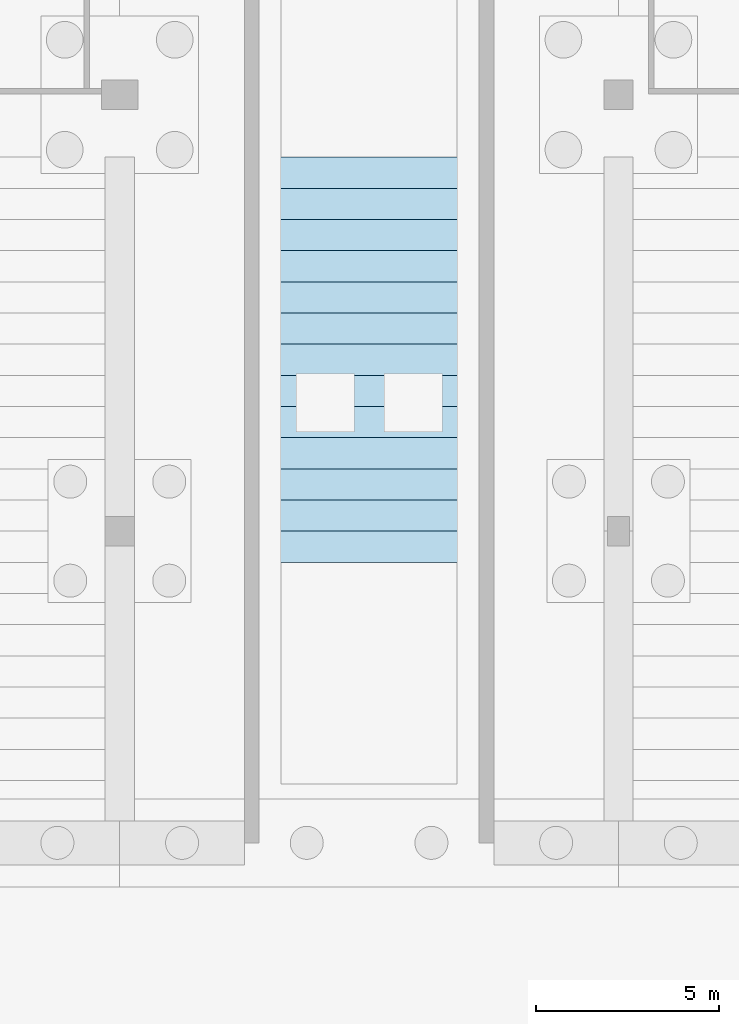
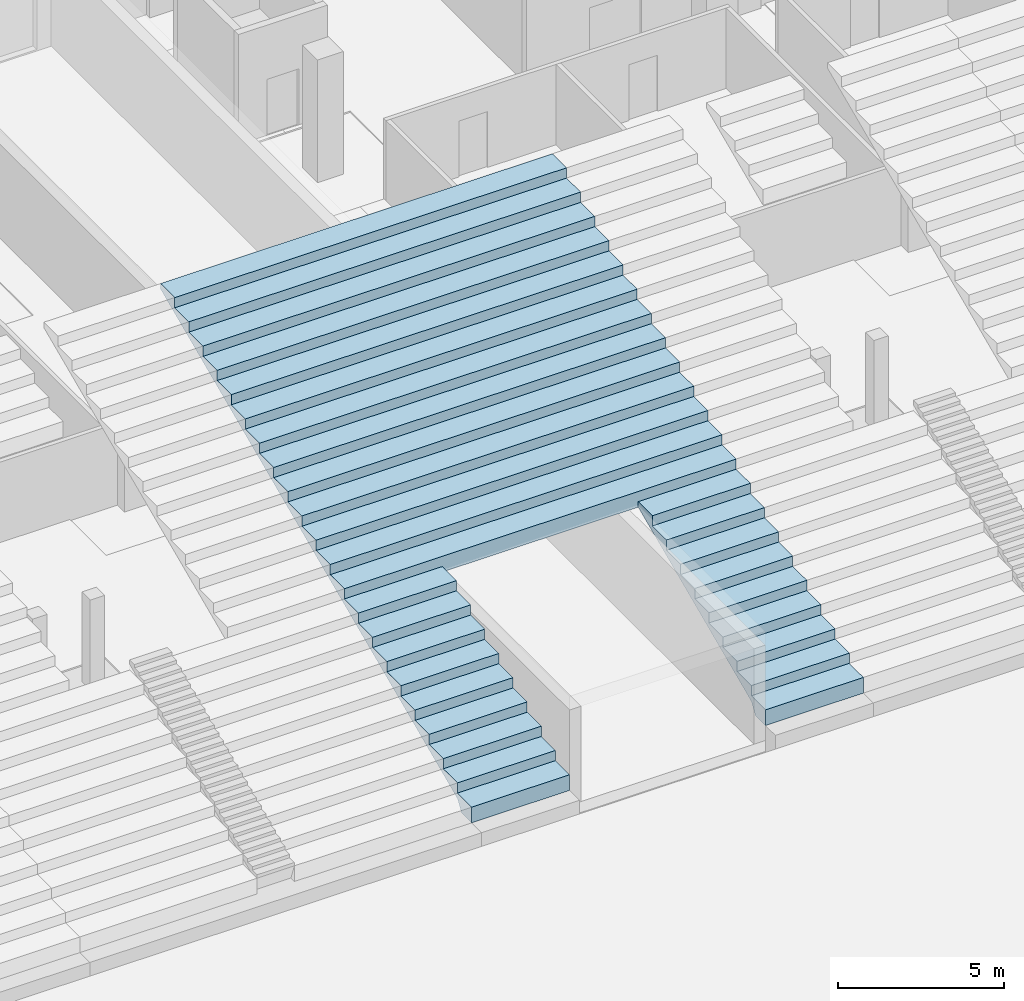
# One storey, part 56 of 115: 1 slab.
"""IFC4 building model written with IfcOpenShell, lengths in metres."""

from ifc_helpers import new_model, si_unit, direction, frame, origin, place, context, subcontext, project, spatial, faceted_brep, material, layer, layer_set, type_object, element, save


model = new_model("IFC4")

# Units and contexts
model_context = context("Model", 3, precision=1e-05, world=origin(), true_north=direction((0.0, 1.0)))
body_context = subcontext(model_context, "Body", "Model", "MODEL_VIEW")
ifc_project = project(units=[si_unit("LENGTHUNIT", "METRE"), si_unit("AREAUNIT", "SQUARE_METRE"), si_unit("VOLUMEUNIT", "CUBIC_METRE"), si_unit("PLANEANGLEUNIT", "RADIAN"), si_unit("MASSUNIT", "GRAM", prefix="KILO")], contexts=[model_context])

# Site, building, storey
site_placement = place(None, origin())
site = spatial("IfcSite", under=ifc_project, at=site_placement, CompositionType="ELEMENT")
building_placement = place(site_placement, origin())
building = spatial("IfcBuilding", under=site, at=building_placement, Name="Ogive Plaza Stadium", CompositionType="ELEMENT")
storey_placement = place(building_placement, frame((0.0, 0.0, -4.5)))
storey = spatial("IfcBuildingStorey", under=building, at=storey_placement, Name="B1", CompositionType="ELEMENT", Elevation=-4.5)

# Slab
ifc_material = material(Name="Concrete C45/55 precast", Category="concrete")
ifc_layer = layer(ifc_material, 0.574951171875)
ifc_layer_set = layer_set([ifc_layer], Name="Concrete C45/55 precast")
slab_type = type_object("IfcSlabType", Name="Seating tier LT 575", PredefinedType="USERDEFINED", material=ifc_layer_set)
slab_placement = place(storey_placement, origin())
element("IfcSlab", 1, at=slab_placement, inside=storey, type_object=slab_type, Name="Stand LT B34", ObjectType="SEATING TIER", PredefinedType="USERDEFINED", context=body_context, shape_type="Brep", body=[
    faceted_brep([(-3.39990234375, 60.0, 1.125), (-3.39990234375, 60.60009765625, 1.125), (-6.800048828125, 60.60009765625, 1.125), (-6.800048828125, 60.0, 1.125), (6.800048828125, 60.0, 1.125), (6.800048828125, 60.60009765625, 1.125), (3.39990234375, 60.60009765625, 1.125), (3.39990234375, 60.0, 1.125), (-3.39990234375, 60.85009765625, 1.125), (-6.800048828125, 60.85009765625, 1.125), (6.800048828125, 60.85009765625, 1.125), (3.39990234375, 60.85009765625, 1.125), (-3.39990234375, 60.60009765625, 0.550048828125), (-6.800048828125, 60.0, 0.550048828125), (-6.800048828125, 60.60009765625, 0.550048828125), (-3.39990234375, 60.0, 0.550048828125), (6.800048828125, 60.60009765625, 0.550048828125), (3.39990234375, 60.0, 0.550048828125), (3.39990234375, 60.60009765625, 0.550048828125), (6.800048828125, 60.0, 0.550048828125), (-6.800048828125, 60.85009765625, 0.925048828125), (-6.800048828125, 60.85009765625, 1.5), (-6.800048828125, 61.699951171875, 1.5), (-6.800048828125, 61.699951171875, 1.300048828125), (-6.800048828125, 61.699951171875, 1.875), (-6.800048828125, 62.550048828125, 1.875), (-6.800048828125, 62.550048828125, 1.675048828125), (-6.800048828125, 62.550048828125, 2.25), (-6.800048828125, 63.39990234375, 2.25), (-6.800048828125, 63.39990234375, 2.050048828125), (-6.800048828125, 63.39990234375, 2.625), (-6.800048828125, 64.25, 2.625), (-6.800048828125, 64.25, 2.425048828125), (-6.800048828125, 64.25, 3.0), (-6.800048828125, 65.10009765625, 3.0), (-6.800048828125, 65.10009765625, 2.800048828125), (-6.800048828125, 65.10009765625, 3.375), (-6.800048828125, 65.949951171875, 3.375), (-6.800048828125, 65.949951171875, 3.175048828125), (-6.800048828125, 65.949951171875, 3.75), (-6.800048828125, 66.800048828125, 3.75), (-6.800048828125, 66.800048828125, 3.550048828125), (-6.800048828125, 66.800048828125, 4.125), (-6.800048828125, 67.64990234375, 4.125), (-6.800048828125, 67.64990234375, 3.925048828125), (-6.800048828125, 67.64990234375, 4.5), (-6.800048828125, 68.5, 4.5), (-6.800048828125, 68.5, 4.300048828125), (-6.800048828125, 68.5, 4.875), (-6.800048828125, 69.35009765625, 4.875), (-6.800048828125, 69.35009765625, 4.675048828125), (-6.800048828125, 69.35009765625, 5.25), (-6.800048828125, 70.199951171875, 5.25), (-6.800048828125, 70.199951171875, 5.050048828125), (-6.800048828125, 70.199951171875, 5.625), (-6.800048828125, 71.050048828125, 5.625), (-6.800048828125, 71.050048828125, 5.425048828125), (-6.800048828125, 71.050048828125, 6.0), (-6.800048828125, 71.89990234375, 6.0), (-6.800048828125, 71.89990234375, 5.800048828125), (-6.800048828125, 71.89990234375, 6.375), (-6.800048828125, 72.75, 6.375), (-6.800048828125, 72.75, 6.175048828125), (-6.800048828125, 72.75, 6.75), (-6.800048828125, 73.60009765625, 6.75), (-6.800048828125, 73.60009765625, 6.550048828125), (-6.800048828125, 73.60009765625, 7.125), (-6.800048828125, 74.449951171875, 7.125), (-6.800048828125, 74.449951171875, 6.925048828125), (-6.800048828125, 74.449951171875, 7.5), (-6.800048828125, 75.300048828125, 7.5), (-6.800048828125, 75.300048828125, 7.300048828125), (-6.800048828125, 75.300048828125, 7.875), (-6.800048828125, 76.14990234375, 7.875), (-6.800048828125, 76.14990234375, 7.675048828125), (-6.800048828125, 76.14990234375, 8.25), (-6.800048828125, 77.0, 8.25), (-6.800048828125, 77.0, 8.050048828125), (-6.800048828125, 77.0, 8.625), (-6.800048828125, 77.85009765625, 8.625), (-6.800048828125, 77.85009765625, 8.425048828125), (-6.800048828125, 77.85009765625, 9.0), (-6.800048828125, 78.699951171875, 9.0), (-6.800048828125, 78.699951171875, 8.800048828125), (-3.39990234375, 60.85009765625, 0.925048828125), (-3.39990234375, 61.699951171875, 1.5), (-3.39990234375, 60.85009765625, 1.5), (-3.39990234375, 61.699951171875, 1.300048828125), (-3.39990234375, 62.550048828125, 1.875), (-3.39990234375, 61.699951171875, 1.875), (-3.39990234375, 62.550048828125, 1.675048828125), (-3.39990234375, 63.39990234375, 2.25), (-3.39990234375, 62.550048828125, 2.25), (-3.39990234375, 63.39990234375, 2.050048828125), (-3.39990234375, 64.25, 2.625), (-3.39990234375, 63.39990234375, 2.625), (-3.39990234375, 64.25, 2.425048828125), (-3.39990234375, 65.10009765625, 3.0), (-3.39990234375, 64.25, 3.0), (-3.39990234375, 65.10009765625, 2.800048828125), (-3.39990234375, 65.949951171875, 3.375), (-3.39990234375, 65.10009765625, 3.375), (-3.39990234375, 65.949951171875, 3.175048828125), (-3.39990234375, 66.800048828125, 3.75), (-3.39990234375, 65.949951171875, 3.75), (-3.39990234375, 66.800048828125, 3.550048828125), (-3.39990234375, 67.64990234375, 4.125), (-3.39990234375, 66.800048828125, 4.125), (-3.39990234375, 67.64990234375, 3.925048828125), (3.39990234375, 60.85009765625, 0.925048828125), (3.39990234375, 60.85009765625, 1.5), (3.39990234375, 61.699951171875, 1.5), (3.39990234375, 61.699951171875, 1.300048828125), (3.39990234375, 61.699951171875, 1.875), (3.39990234375, 62.550048828125, 1.875), (3.39990234375, 62.550048828125, 1.675048828125), (3.39990234375, 62.550048828125, 2.25), (3.39990234375, 63.39990234375, 2.25), (3.39990234375, 63.39990234375, 2.050048828125), (3.39990234375, 63.39990234375, 2.625), (3.39990234375, 64.25, 2.625), (3.39990234375, 64.25, 2.425048828125), (3.39990234375, 64.25, 3.0), (3.39990234375, 65.10009765625, 3.0), (3.39990234375, 65.10009765625, 2.800048828125), (3.39990234375, 65.10009765625, 3.375), (3.39990234375, 65.949951171875, 3.375), (3.39990234375, 65.949951171875, 3.175048828125), (3.39990234375, 65.949951171875, 3.75), (3.39990234375, 66.800048828125, 3.75), (3.39990234375, 66.800048828125, 3.550048828125), (3.39990234375, 66.800048828125, 4.125), (3.39990234375, 67.64990234375, 4.125), (3.39990234375, 67.64990234375, 3.925048828125), (6.800048828125, 60.85009765625, 0.925048828125), (6.800048828125, 61.699951171875, 1.5), (6.800048828125, 60.85009765625, 1.5), (6.800048828125, 61.699951171875, 1.300048828125), (6.800048828125, 62.550048828125, 1.875), (6.800048828125, 61.699951171875, 1.875), (6.800048828125, 62.550048828125, 1.675048828125), (6.800048828125, 63.39990234375, 2.25), (6.800048828125, 62.550048828125, 2.25), (6.800048828125, 63.39990234375, 2.050048828125), (6.800048828125, 64.25, 2.625), (6.800048828125, 63.39990234375, 2.625), (6.800048828125, 64.25, 2.425048828125), (6.800048828125, 65.10009765625, 3.0), (6.800048828125, 64.25, 3.0), (6.800048828125, 65.10009765625, 2.800048828125), (6.800048828125, 65.949951171875, 3.375), (6.800048828125, 65.10009765625, 3.375), (6.800048828125, 65.949951171875, 3.175048828125), (6.800048828125, 66.800048828125, 3.75), (6.800048828125, 65.949951171875, 3.75), (6.800048828125, 66.800048828125, 3.550048828125), (6.800048828125, 67.64990234375, 4.125), (6.800048828125, 66.800048828125, 4.125), (6.800048828125, 67.64990234375, 3.925048828125), (6.800048828125, 68.5, 4.5), (6.800048828125, 67.64990234375, 4.5), (6.800048828125, 68.5, 4.300048828125), (6.800048828125, 69.35009765625, 4.875), (6.800048828125, 68.5, 4.875), (6.800048828125, 69.35009765625, 4.675048828125), (6.800048828125, 70.199951171875, 5.25), (6.800048828125, 69.35009765625, 5.25), (6.800048828125, 70.199951171875, 5.050048828125), (6.800048828125, 71.050048828125, 5.625), (6.800048828125, 70.199951171875, 5.625), (6.800048828125, 71.050048828125, 5.425048828125), (6.800048828125, 71.89990234375, 6.0), (6.800048828125, 71.050048828125, 6.0), (6.800048828125, 71.89990234375, 5.800048828125), (6.800048828125, 72.75, 6.375), (6.800048828125, 71.89990234375, 6.375), (6.800048828125, 72.75, 6.175048828125), (6.800048828125, 73.60009765625, 6.75), (6.800048828125, 72.75, 6.75), (6.800048828125, 73.60009765625, 6.550048828125), (6.800048828125, 74.449951171875, 7.125), (6.800048828125, 73.60009765625, 7.125), (6.800048828125, 74.449951171875, 6.925048828125), (6.800048828125, 75.300048828125, 7.5), (6.800048828125, 74.449951171875, 7.5), (6.800048828125, 75.300048828125, 7.300048828125), (6.800048828125, 76.14990234375, 7.875), (6.800048828125, 75.300048828125, 7.875), (6.800048828125, 76.14990234375, 7.675048828125), (6.800048828125, 77.0, 8.25), (6.800048828125, 76.14990234375, 8.25), (6.800048828125, 77.0, 8.050048828125), (6.800048828125, 77.85009765625, 8.625), (6.800048828125, 77.0, 8.625), (6.800048828125, 77.85009765625, 8.425048828125), (6.800048828125, 78.699951171875, 9.0), (6.800048828125, 77.85009765625, 9.0), (6.800048828125, 78.699951171875, 8.800048828125)], [[[0, 1, 2]], [[2, 3, 0]], [[4, 5, 6]], [[6, 7, 4]], [[1, 8, 9]], [[9, 2, 1]], [[5, 10, 11]], [[11, 6, 5]], [[12, 13, 14]], [[12, 15, 13]], [[16, 17, 18]], [[16, 19, 17]], [[2, 14, 13]], [[13, 3, 2]], [[20, 14, 2]], [[20, 2, 9]], [[9, 21, 22]], [[22, 23, 20]], [[20, 9, 22]], [[22, 24, 25]], [[25, 26, 23]], [[23, 22, 25]], [[25, 27, 28]], [[28, 29, 26]], [[26, 25, 28]], [[28, 30, 31]], [[31, 32, 29]], [[29, 28, 31]], [[31, 33, 34]], [[34, 35, 32]], [[32, 31, 34]], [[34, 36, 37]], [[37, 38, 35]], [[35, 34, 37]], [[37, 39, 40]], [[40, 41, 38]], [[38, 37, 40]], [[40, 42, 43]], [[43, 44, 41]], [[41, 40, 43]], [[43, 45, 46]], [[46, 47, 44]], [[44, 43, 46]], [[46, 48, 49]], [[49, 50, 47]], [[47, 46, 49]], [[49, 51, 52]], [[52, 53, 50]], [[50, 49, 52]], [[52, 54, 55]], [[55, 56, 53]], [[53, 52, 55]], [[55, 57, 58]], [[58, 59, 56]], [[56, 55, 58]], [[58, 60, 61]], [[61, 62, 59]], [[59, 58, 61]], [[61, 63, 64]], [[64, 65, 62]], [[62, 61, 64]], [[64, 66, 67]], [[67, 68, 65]], [[65, 64, 67]], [[67, 69, 70]], [[70, 71, 68]], [[68, 67, 70]], [[70, 72, 73]], [[73, 74, 71]], [[71, 70, 73]], [[73, 75, 76]], [[76, 77, 74]], [[74, 73, 76]], [[76, 78, 79]], [[79, 80, 77]], [[77, 76, 79]], [[79, 81, 82]], [[82, 83, 80]], [[80, 79, 82]], [[3, 13, 15]], [[15, 0, 3]], [[7, 17, 19]], [[19, 4, 7]], [[0, 15, 12]], [[12, 1, 0]], [[1, 12, 84]], [[84, 8, 1]], [[85, 86, 8]], [[8, 84, 87]], [[87, 85, 8]], [[88, 89, 85]], [[85, 87, 90]], [[90, 88, 85]], [[91, 92, 88]], [[88, 90, 93]], [[93, 91, 88]], [[94, 95, 91]], [[91, 93, 96]], [[96, 94, 91]], [[97, 98, 94]], [[94, 96, 99]], [[99, 97, 94]], [[100, 101, 97]], [[97, 99, 102]], [[102, 100, 97]], [[103, 104, 100]], [[100, 102, 105]], [[105, 103, 100]], [[106, 107, 103]], [[103, 105, 108]], [[108, 106, 103]], [[6, 18, 17]], [[17, 7, 6]], [[109, 18, 6]], [[109, 6, 11]], [[11, 110, 111]], [[111, 112, 109]], [[109, 11, 111]], [[111, 113, 114]], [[114, 115, 112]], [[112, 111, 114]], [[114, 116, 117]], [[117, 118, 115]], [[115, 114, 117]], [[117, 119, 120]], [[120, 121, 118]], [[118, 117, 120]], [[120, 122, 123]], [[123, 124, 121]], [[121, 120, 123]], [[123, 125, 126]], [[126, 127, 124]], [[124, 123, 126]], [[126, 128, 129]], [[129, 130, 127]], [[127, 126, 129]], [[129, 131, 132]], [[132, 133, 130]], [[130, 129, 132]], [[4, 19, 16]], [[16, 5, 4]], [[5, 16, 134]], [[134, 10, 5]], [[135, 136, 10]], [[10, 134, 137]], [[137, 135, 10]], [[138, 139, 135]], [[135, 137, 140]], [[140, 138, 135]], [[141, 142, 138]], [[138, 140, 143]], [[143, 141, 138]], [[144, 145, 141]], [[141, 143, 146]], [[146, 144, 141]], [[147, 148, 144]], [[144, 146, 149]], [[149, 147, 144]], [[150, 151, 147]], [[147, 149, 152]], [[152, 150, 147]], [[153, 154, 150]], [[150, 152, 155]], [[155, 153, 150]], [[156, 157, 153]], [[153, 155, 158]], [[158, 156, 153]], [[159, 160, 156]], [[156, 158, 161]], [[161, 159, 156]], [[162, 163, 159]], [[159, 161, 164]], [[164, 162, 159]], [[165, 166, 162]], [[162, 164, 167]], [[167, 165, 162]], [[168, 169, 165]], [[165, 167, 170]], [[170, 168, 165]], [[171, 172, 168]], [[168, 170, 173]], [[173, 171, 168]], [[174, 175, 171]], [[171, 173, 176]], [[176, 174, 171]], [[177, 178, 174]], [[174, 176, 179]], [[179, 177, 174]], [[180, 181, 177]], [[177, 179, 182]], [[182, 180, 177]], [[183, 184, 180]], [[180, 182, 185]], [[185, 183, 180]], [[186, 187, 183]], [[183, 185, 188]], [[188, 186, 183]], [[189, 190, 186]], [[186, 188, 191]], [[191, 189, 186]], [[192, 193, 189]], [[189, 191, 194]], [[194, 192, 189]], [[195, 196, 192]], [[192, 194, 197]], [[197, 195, 192]], [[84, 14, 20]], [[84, 12, 14]], [[134, 18, 109]], [[134, 16, 18]], [[8, 86, 21]], [[21, 9, 8]], [[10, 136, 110]], [[110, 11, 10]], [[86, 85, 22]], [[22, 21, 86]], [[136, 135, 111]], [[111, 110, 136]], [[87, 20, 23]], [[87, 84, 20]], [[137, 109, 112]], [[137, 134, 109]], [[90, 23, 26]], [[90, 87, 23]], [[140, 112, 115]], [[140, 137, 112]], [[93, 26, 29]], [[93, 90, 26]], [[143, 115, 118]], [[143, 140, 115]], [[96, 29, 32]], [[96, 93, 29]], [[146, 118, 121]], [[146, 143, 118]], [[99, 32, 35]], [[99, 96, 32]], [[149, 121, 124]], [[149, 146, 121]], [[102, 35, 38]], [[102, 99, 35]], [[152, 124, 127]], [[152, 149, 124]], [[105, 38, 41]], [[105, 102, 38]], [[155, 127, 130]], [[155, 152, 127]], [[108, 41, 44]], [[108, 105, 41]], [[158, 130, 133]], [[158, 155, 130]], [[161, 44, 47]], [[161, 158, 133]], [[161, 133, 108]], [[161, 108, 44]], [[164, 47, 50]], [[164, 161, 47]], [[167, 50, 53]], [[167, 164, 50]], [[170, 53, 56]], [[170, 167, 53]], [[173, 56, 59]], [[173, 170, 56]], [[176, 59, 62]], [[176, 173, 59]], [[179, 62, 65]], [[179, 176, 62]], [[182, 65, 68]], [[182, 179, 65]], [[185, 68, 71]], [[185, 182, 68]], [[188, 71, 74]], [[188, 185, 71]], [[85, 89, 24]], [[24, 22, 85]], [[135, 139, 113]], [[113, 111, 135]], [[89, 88, 25]], [[25, 24, 89]], [[139, 138, 114]], [[114, 113, 139]], [[88, 92, 27]], [[27, 25, 88]], [[138, 142, 116]], [[116, 114, 138]], [[92, 91, 28]], [[28, 27, 92]], [[142, 141, 117]], [[117, 116, 142]], [[91, 95, 30]], [[30, 28, 91]], [[141, 145, 119]], [[119, 117, 141]], [[95, 94, 31]], [[31, 30, 95]], [[145, 144, 120]], [[120, 119, 145]], [[94, 98, 33]], [[33, 31, 94]], [[144, 148, 122]], [[122, 120, 144]], [[98, 97, 34]], [[34, 33, 98]], [[148, 147, 123]], [[123, 122, 148]], [[97, 101, 36]], [[36, 34, 97]], [[147, 151, 125]], [[125, 123, 147]], [[101, 100, 37]], [[37, 36, 101]], [[151, 150, 126]], [[126, 125, 151]], [[100, 104, 39]], [[39, 37, 100]], [[150, 154, 128]], [[128, 126, 150]], [[104, 103, 40]], [[40, 39, 104]], [[154, 153, 129]], [[129, 128, 154]], [[103, 107, 42]], [[42, 40, 103]], [[153, 157, 131]], [[131, 129, 153]], [[107, 106, 43]], [[43, 42, 107]], [[157, 156, 132]], [[132, 131, 157]], [[156, 160, 45]], [[108, 133, 132]], [[106, 108, 132]], [[132, 156, 45]], [[106, 132, 45]], [[45, 43, 106]], [[160, 159, 46]], [[46, 45, 160]], [[159, 163, 48]], [[48, 46, 159]], [[163, 162, 49]], [[49, 48, 163]], [[162, 166, 51]], [[51, 49, 162]], [[166, 165, 52]], [[52, 51, 166]], [[165, 169, 54]], [[54, 52, 165]], [[169, 168, 55]], [[55, 54, 169]], [[168, 172, 57]], [[57, 55, 168]], [[172, 171, 58]], [[58, 57, 172]], [[171, 175, 60]], [[60, 58, 171]], [[175, 174, 61]], [[61, 60, 175]], [[174, 178, 63]], [[63, 61, 174]], [[178, 177, 64]], [[64, 63, 178]], [[177, 181, 66]], [[66, 64, 177]], [[181, 180, 67]], [[67, 66, 181]], [[180, 184, 69]], [[69, 67, 180]], [[184, 183, 70]], [[70, 69, 184]], [[183, 187, 72]], [[72, 70, 183]], [[187, 186, 73]], [[73, 72, 187]], [[186, 190, 75]], [[75, 73, 186]], [[190, 189, 76]], [[76, 75, 190]], [[191, 74, 77]], [[191, 188, 74]], [[194, 77, 80]], [[194, 191, 77]], [[197, 80, 83]], [[197, 194, 80]], [[189, 193, 78]], [[78, 76, 189]], [[193, 192, 79]], [[79, 78, 193]], [[192, 196, 81]], [[81, 79, 192]], [[196, 195, 82]], [[82, 81, 196]], [[195, 197, 83]], [[83, 82, 195]]]),
])

save(model, "model.ifc")
